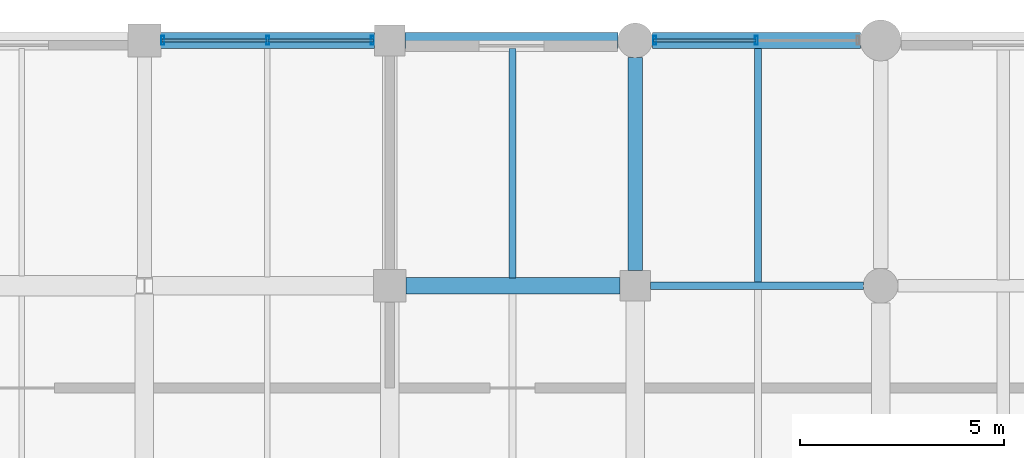
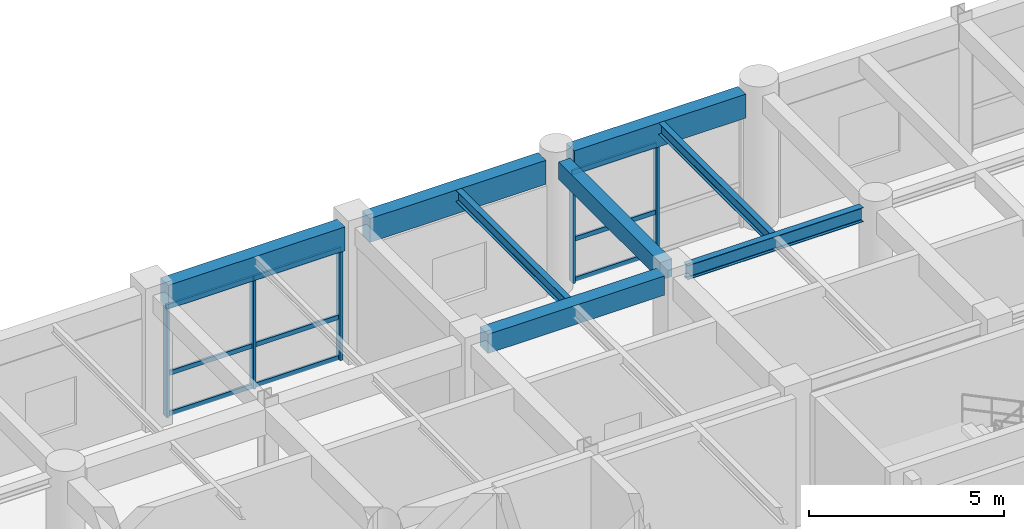
# One storey, part 81 of 133: 14 members, 8 beams, 2 elements without a shape of their own.
"""IFC4 building model written with IfcOpenShell, lengths in metres."""

from ifc_helpers import new_model, si_unit, direction, frame, origin, origin_2d, place, context, subcontext, project, spatial, rectangle, hollow_rectangle, i_section, extrude, material, material_profile, profile_set, type_object, element, aggregate, save


model = new_model("IFC4")

# Units and contexts
model_context = context("Model", 3, precision=1e-05, world=origin(), true_north=direction((0.0, 1.0)))
body_context = subcontext(model_context, "Body", "Model", "MODEL_VIEW")
ifc_project = project(units=[si_unit("LENGTHUNIT", "METRE"), si_unit("AREAUNIT", "SQUARE_METRE"), si_unit("VOLUMEUNIT", "CUBIC_METRE"), si_unit("PLANEANGLEUNIT", "RADIAN"), si_unit("MASSUNIT", "GRAM", prefix="KILO"), si_unit("THERMODYNAMICTEMPERATUREUNIT", "KELVIN"), si_unit("POWERUNIT", "WATT")], contexts=[model_context])

# Site, building, storey
site_placement = place(None, origin())
site = spatial("IfcSite", under=ifc_project, at=site_placement, CompositionType="ELEMENT")
building_placement = place(site_placement, origin())
building = spatial("IfcBuilding", under=site, at=building_placement, Name="Phaisarnlok Congress Hotel", CompositionType="ELEMENT")
storey_placement = place(building_placement, frame((0.0, 0.0, 6.0)))
storey = spatial("IfcBuildingStorey", under=building, at=storey_placement, Name="L01", CompositionType="ELEMENT", Elevation=6.0)

# Beams
ifc_material_1 = material(Name="Concrete C40/50", Category="concrete")
ifc_material_profile_1 = material_profile(ifc_material_1, rectangle(XDim=0.35009765625, YDim=0.550048828125, at=origin_2d()), Name="RC 350x550")
ifc_profile_set_1 = profile_set([ifc_material_profile_1], Name="Concrete C40/50")
beam_type_1 = type_object("IfcBeamType", Name="BM-RC-350x550", PredefinedType="BEAM", material=ifc_profile_set_1)
beam_1_placement = place(storey_placement, frame((156.0, 120.3701171875, 3.945068359375), z_axis=(0.0, 1.0, 0.0), x_axis=(-1.0, 0.0, 0.0)))
element("IfcBeam", 1, at=beam_1_placement, inside=storey, type_object=beam_type_1, Name="Beam B-01", PredefinedType="BEAM", context=body_context, shape_type="SweptSolid", body=[
    extrude(rectangle(XDim=0.35009765625, YDim=0.550048828125, at=origin_2d()), origin(), (0.0, 0.0, 1.0), 5.2099609375),
])
ifc_material_profile_2 = material_profile(ifc_material_1, rectangle(XDim=0.39990234375, YDim=0.60009765625, at=origin_2d()), Name="RC 400x600")
ifc_profile_set_2 = profile_set([ifc_material_profile_2], Name="Concrete C40/50")
beam_type_2 = type_object("IfcBeamType", Name="BM-RC-400x600", PredefinedType="BEAM", material=ifc_profile_set_2)
beam_2_placement = place(storey_placement, frame((150.39501953125, 120.0, 3.919921875), z_axis=(1.0, 0.0, 0.0), x_axis=(0.0, 1.0, 0.0)))
element("IfcBeam", 2, at=beam_2_placement, inside=storey, type_object=beam_type_2, Name="Beam B-02", PredefinedType="BEAM", context=body_context, shape_type="SweptSolid", body=[
    extrude(rectangle(XDim=0.39990234375, YDim=0.60009765625, at=origin_2d()), origin(), (0.0, 0.0, 1.0), 5.23486328125),
])
ifc_material_2 = material(Name="Steel S355", Category="steel")
ifc_material_profile_3 = material_profile(ifc_material_2, i_section(OverallWidth=0.18994140625, OverallDepth=0.449951171875, WebThickness=0.009521484375, FlangeThickness=0.0146484375, FilletRadius=0.02099609375, at=origin_2d()), Name="IPE 450")
ifc_profile_set_3 = profile_set([ifc_material_profile_3], Name="Steel S355")
beam_type_3 = type_object("IfcBeamType", Name="BM-STL-IPE450", PredefinedType="BEAM", material=ifc_profile_set_3)
beam_3_placement = place(storey_placement, frame((156.3701171875, 120.0, 3.9951171875), z_axis=(1.0, 0.0, 0.0), x_axis=(0.0, 1.0, 0.0)))
element("IfcBeam", 3, at=beam_3_placement, inside=storey, type_object=beam_type_3, Name="Beam SB-01", PredefinedType="BEAM", context=body_context, shape_type="SweptSolid", body=[
    extrude(i_section(OverallWidth=0.18994140625, OverallDepth=0.449951171875, WebThickness=0.009521484375, FlangeThickness=0.0146484375, FilletRadius=0.02099609375, at=origin_2d()), origin(), (0.0, 0.0, 1.0), 5.2099609375),
])

# Curtain wall, members
ifc_material_3 = material(Name="Thermally Broken Unitised Aluminium & Low-E Glazing", Category="aluminium")
curtain_wall_type_1 = type_object("IfcCurtainWallType", Name="CW-UNIT-12", PredefinedType="NOTDEFINED", material=ifc_material_3)
curtain_wall_1_placement = place(storey_placement, origin())
curtain_wall_1 = element("IfcCurtainWall", 4, at=curtain_wall_1_placement, inside=storey, type_object=curtain_wall_type_1, Name="Unitised curtain wall CW-12 (L01)", PredefinedType="NOTDEFINED")
ifc_material_4 = material(Name="Anodised Aluminium Alloy 6063-T6", Category="aluminium")
ifc_material_profile_4 = material_profile(ifc_material_4, hollow_rectangle(XDim=0.074951171875, YDim=0.219970703125, WallThickness=0.0048828125, at=origin_2d()), Name="ALU-M 75x220x5")
ifc_profile_set_4 = profile_set([ifc_material_profile_4], Name="Anodised Aluminium Alloy 6063-T6")
member_type_1 = type_object("IfcMemberType", Name="CWM-220", PredefinedType="MULLION", material=ifc_profile_set_4)
member_1_placement = place(storey_placement, frame((158.96240234375, 126.0, 0.0), z_axis=(0.0, 0.0, 1.0), x_axis=(-1.0, 0.0, 0.0)))
member_1 = element("IfcMember", 5, at=member_1_placement, type_object=member_type_1, Name="Curtain wall mullion CWM-02", PredefinedType="MULLION", context=body_context, shape_type="SweptSolid", body=[
    extrude(hollow_rectangle(XDim=0.074951171875, YDim=0.219970703125, WallThickness=0.0048828125, at=origin_2d()), origin(), (0.0, 0.0, 1.0), 3.469970703125),
])
member_2_placement = place(storey_placement, frame((156.47509765625, 126.0, 0.0), z_axis=(0.0, 0.0, 1.0), x_axis=(-1.0, 0.0, 0.0)))
member_2 = element("IfcMember", 6, at=member_2_placement, type_object=member_type_1, Name="Curtain wall mullion CWM-02", PredefinedType="MULLION", context=body_context, shape_type="SweptSolid", body=[
    extrude(hollow_rectangle(XDim=0.074951171875, YDim=0.219970703125, WallThickness=0.0048828125, at=origin_2d()), origin(), (0.0, 0.0, 1.0), 3.469970703125),
])

curtain_wall_type_2 = type_object("IfcCurtainWallType", Name="CW-UNIT-15", PredefinedType="NOTDEFINED", material=ifc_material_3)
curtain_wall_2_placement = place(storey_placement, origin())
curtain_wall_2 = element("IfcCurtainWall", 7, at=curtain_wall_2_placement, inside=storey, type_object=curtain_wall_type_2, Name="Unitised curtain wall CW-15 (L01)", PredefinedType="NOTDEFINED")
member_3_placement = place(storey_placement, frame((149.574951171875, 126.0, 0.0), z_axis=(0.0, 0.0, 1.0), x_axis=(-1.0, 0.0, 0.0)))
member_3 = element("IfcMember", 8, at=member_3_placement, type_object=member_type_1, Name="Curtain wall mullion CWM-02", PredefinedType="MULLION", context=body_context, shape_type="SweptSolid", body=[
    extrude(hollow_rectangle(XDim=0.074951171875, YDim=0.219970703125, WallThickness=0.0048828125, at=origin_2d()), origin(), (0.0, 0.0, 1.0), 3.469970703125),
])
member_4_placement = place(storey_placement, frame((147.012451171875, 126.0, 0.0), z_axis=(0.0, 0.0, 1.0), x_axis=(-1.0, 0.0, 0.0)))
member_4 = element("IfcMember", 9, at=member_4_placement, type_object=member_type_1, Name="Curtain wall mullion CWM-02", PredefinedType="MULLION", context=body_context, shape_type="SweptSolid", body=[
    extrude(hollow_rectangle(XDim=0.074951171875, YDim=0.219970703125, WallThickness=0.0048828125, at=origin_2d()), origin(), (0.0, 0.0, 1.0), 3.469970703125),
])
member_5_placement = place(storey_placement, frame((144.449951171875, 126.0, 0.0), z_axis=(0.0, 0.0, 1.0), x_axis=(-1.0, 0.0, 0.0)))
member_5 = element("IfcMember", 10, at=member_5_placement, type_object=member_type_1, Name="Curtain wall mullion CWM-02", PredefinedType="MULLION", context=body_context, shape_type="SweptSolid", body=[
    extrude(hollow_rectangle(XDim=0.074951171875, YDim=0.219970703125, WallThickness=0.0048828125, at=origin_2d()), origin(), (0.0, 0.0, 1.0), 3.469970703125),
])

# Member
ifc_material_profile_5 = material_profile(ifc_material_4, hollow_rectangle(XDim=0.06494140625, YDim=0.139892578125, WallThickness=0.00390625, at=origin_2d()), Name="ALU-T 65x140x4")
ifc_profile_set_5 = profile_set([ifc_material_profile_5], Name="Anodised Aluminium Alloy 6063-T6")
member_type_2 = type_object("IfcMemberType", Name="CWT-150", PredefinedType="USERDEFINED", material=ifc_profile_set_5)
member_6_placement = place(storey_placement, frame((158.947509765625, 126.0, 0.050048828125), z_axis=(-1.0, 0.0, 0.0), x_axis=(0.0, -1.0, 0.0)))
member_6 = element("IfcMember", 11, at=member_6_placement, type_object=member_type_2, Name="Curtain wall transom CWT-01", ObjectType="TRANSOM", PredefinedType="USERDEFINED", context=body_context, shape_type="SweptSolid", body=[
    extrude(hollow_rectangle(XDim=0.06494140625, YDim=0.139892578125, WallThickness=0.00390625, at=origin_2d()), origin(), (0.0, 0.0, 1.0), 2.49755859375),
])

member_7_placement = place(storey_placement, frame((158.947509765625, 126.0, 1.318603515625), z_axis=(-1.0, 0.0, 0.0), x_axis=(0.0, -1.0, 0.0)))
member_7 = element("IfcMember", 12, at=member_7_placement, type_object=member_type_2, Name="Curtain wall transom CWT-01", ObjectType="TRANSOM", PredefinedType="USERDEFINED", context=body_context, shape_type="SweptSolid", body=[
    extrude(hollow_rectangle(XDim=0.06494140625, YDim=0.139892578125, WallThickness=0.00390625, at=origin_2d()), origin(), (0.0, 0.0, 1.0), 2.49755859375),
])

member_8_placement = place(storey_placement, frame((158.947509765625, 126.0, 3.419921875), z_axis=(-1.0, 0.0, 0.0), x_axis=(0.0, -1.0, 0.0)))
member_8 = element("IfcMember", 13, at=member_8_placement, type_object=member_type_2, Name="Curtain wall transom CWT-01", ObjectType="TRANSOM", PredefinedType="USERDEFINED", context=body_context, shape_type="SweptSolid", body=[
    extrude(hollow_rectangle(XDim=0.06494140625, YDim=0.139892578125, WallThickness=0.00390625, at=origin_2d()), origin(), (0.0, 0.0, 1.0), 2.49755859375),
])

aggregate(curtain_wall_1, [member_1, member_2, member_6, member_7, member_8])

member_9_placement = place(storey_placement, frame((149.60009765625, 126.0, 0.050048828125), z_axis=(-1.0, 0.0, 0.0), x_axis=(0.0, -1.0, 0.0)))
member_9 = element("IfcMember", 14, at=member_9_placement, type_object=member_type_2, Name="Curtain wall transom CWT-01", ObjectType="TRANSOM", PredefinedType="USERDEFINED", context=body_context, shape_type="SweptSolid", body=[
    extrude(hollow_rectangle(XDim=0.06494140625, YDim=0.139892578125, WallThickness=0.00390625, at=origin_2d()), origin(), (0.0, 0.0, 1.0), 2.572509765625),
])

member_10_placement = place(storey_placement, frame((149.60009765625, 126.0, 1.318603515625), z_axis=(-1.0, 0.0, 0.0), x_axis=(0.0, -1.0, 0.0)))
member_10 = element("IfcMember", 15, at=member_10_placement, type_object=member_type_2, Name="Curtain wall transom CWT-01", ObjectType="TRANSOM", PredefinedType="USERDEFINED", context=body_context, shape_type="SweptSolid", body=[
    extrude(hollow_rectangle(XDim=0.06494140625, YDim=0.139892578125, WallThickness=0.00390625, at=origin_2d()), origin(), (0.0, 0.0, 1.0), 2.572509765625),
])

member_11_placement = place(storey_placement, frame((149.60009765625, 126.0, 3.419921875), z_axis=(-1.0, 0.0, 0.0), x_axis=(0.0, -1.0, 0.0)))
member_11 = element("IfcMember", 16, at=member_11_placement, type_object=member_type_2, Name="Curtain wall transom CWT-01", ObjectType="TRANSOM", PredefinedType="USERDEFINED", context=body_context, shape_type="SweptSolid", body=[
    extrude(hollow_rectangle(XDim=0.06494140625, YDim=0.139892578125, WallThickness=0.00390625, at=origin_2d()), origin(), (0.0, 0.0, 1.0), 2.572509765625),
])

member_12_placement = place(storey_placement, frame((146.99755859375, 126.0, 0.050048828125), z_axis=(-1.0, 0.0, 0.0), x_axis=(0.0, -1.0, 0.0)))
member_12 = element("IfcMember", 17, at=member_12_placement, type_object=member_type_2, Name="Curtain wall transom CWT-01", ObjectType="TRANSOM", PredefinedType="USERDEFINED", context=body_context, shape_type="SweptSolid", body=[
    extrude(hollow_rectangle(XDim=0.06494140625, YDim=0.139892578125, WallThickness=0.00390625, at=origin_2d()), origin(), (0.0, 0.0, 1.0), 2.572509765625),
])

member_13_placement = place(storey_placement, frame((146.99755859375, 126.0, 1.318603515625), z_axis=(-1.0, 0.0, 0.0), x_axis=(0.0, -1.0, 0.0)))
member_13 = element("IfcMember", 18, at=member_13_placement, type_object=member_type_2, Name="Curtain wall transom CWT-01", ObjectType="TRANSOM", PredefinedType="USERDEFINED", context=body_context, shape_type="SweptSolid", body=[
    extrude(hollow_rectangle(XDim=0.06494140625, YDim=0.139892578125, WallThickness=0.00390625, at=origin_2d()), origin(), (0.0, 0.0, 1.0), 2.572509765625),
])

member_14_placement = place(storey_placement, frame((146.99755859375, 126.0, 3.419921875), z_axis=(-1.0, 0.0, 0.0), x_axis=(0.0, -1.0, 0.0)))
member_14 = element("IfcMember", 19, at=member_14_placement, type_object=member_type_2, Name="Curtain wall transom CWT-01", ObjectType="TRANSOM", PredefinedType="USERDEFINED", context=body_context, shape_type="SweptSolid", body=[
    extrude(hollow_rectangle(XDim=0.06494140625, YDim=0.139892578125, WallThickness=0.00390625, at=origin_2d()), origin(), (0.0, 0.0, 1.0), 2.572509765625),
])

aggregate(curtain_wall_2, [member_3, member_4, member_5, member_9, member_10, member_11, member_12, member_13, member_14])

# Beams
ifc_material_profile_6 = material_profile(ifc_material_2, i_section(OverallWidth=0.169921875, OverallDepth=0.360107421875, WebThickness=0.008056640625, FlangeThickness=0.0126953125, FilletRadius=0.01806640625, at=origin_2d()), Name="IPE 360")
ifc_profile_set_6 = profile_set([ifc_material_profile_6], Name="Steel S355")
beam_type_4 = type_object("IfcBeamType", Name="JS-STL-IPE360", PredefinedType="JOIST", material=ifc_profile_set_6)
beam_4_placement = place(storey_placement, frame((153.0, 120.195068359375, 4.0400390625), z_axis=(0.0, 1.0, 0.0), x_axis=(-1.0, 0.0, 0.0)))
element("IfcBeam", 20, at=beam_4_placement, inside=storey, type_object=beam_type_4, Name="Secondary floor joist J-04", PredefinedType="JOIST", context=body_context, shape_type="SweptSolid", body=[
    extrude(i_section(OverallWidth=0.169921875, OverallDepth=0.360107421875, WebThickness=0.008056640625, FlangeThickness=0.0126953125, FilletRadius=0.01806640625, at=origin_2d()), origin(), (0.0, 0.0, 1.0), 5.60986328125),
])
beam_5_placement = place(storey_placement, frame((159.0, 120.090087890625, 4.0400390625), z_axis=(0.0, 1.0, 0.0), x_axis=(-1.0, 0.0, 0.0)))
element("IfcBeam", 21, at=beam_5_placement, inside=storey, type_object=beam_type_4, Name="Secondary floor joist J-04", PredefinedType="JOIST", context=body_context, shape_type="SweptSolid", body=[
    extrude(i_section(OverallWidth=0.169921875, OverallDepth=0.360107421875, WebThickness=0.008056640625, FlangeThickness=0.0126953125, FilletRadius=0.01806640625, at=origin_2d()), origin(), (0.0, 0.0, 1.0), 5.71484375),
])
ifc_material_profile_7 = material_profile(ifc_material_1, rectangle(XDim=0.39990234375, YDim=0.75, at=origin_2d()), Name="RC 400x750")
ifc_profile_set_7 = profile_set([ifc_material_profile_7], Name="Concrete C40/50")
beam_type_5 = type_object("IfcBeamType", Name="SP-RC-400x750", PredefinedType="SPANDREL", material=ifc_profile_set_7)
beam_6_placement = place(storey_placement, frame((144.39501953125, 126.0, 3.844970703125), z_axis=(1.0, 0.0, 0.0), x_axis=(0.0, 1.0, 0.0)))
element("IfcBeam", 22, at=beam_6_placement, inside=storey, type_object=beam_type_5, Name="Beam SP-02", PredefinedType="SPANDREL", context=body_context, shape_type="SweptSolid", body=[
    extrude(rectangle(XDim=0.39990234375, YDim=0.75, at=origin_2d()), origin(), (0.0, 0.0, 1.0), 5.23486328125),
])
beam_7_placement = place(storey_placement, frame((150.3701171875, 126.0, 3.844970703125), z_axis=(1.0, 0.0, 0.0), x_axis=(0.0, 1.0, 0.0)))
element("IfcBeam", 23, at=beam_7_placement, inside=storey, type_object=beam_type_5, Name="Beam SP-02", PredefinedType="SPANDREL", context=body_context, shape_type="SweptSolid", body=[
    extrude(rectangle(XDim=0.39990234375, YDim=0.75, at=origin_2d()), origin(), (0.0, 0.0, 1.0), 5.2099609375),
])
beam_8_placement = place(storey_placement, frame((156.419921875, 126.0, 3.844970703125), z_axis=(1.0, 0.0, 0.0), x_axis=(0.0, 1.0, 0.0)))
element("IfcBeam", 24, at=beam_8_placement, inside=storey, type_object=beam_type_5, Name="Beam SP-02", PredefinedType="SPANDREL", context=body_context, shape_type="SweptSolid", body=[
    extrude(rectangle(XDim=0.39990234375, YDim=0.75, at=origin_2d()), origin(), (0.0, 0.0, 1.0), 5.0849609375),
])

save(model, "model.ifc")
